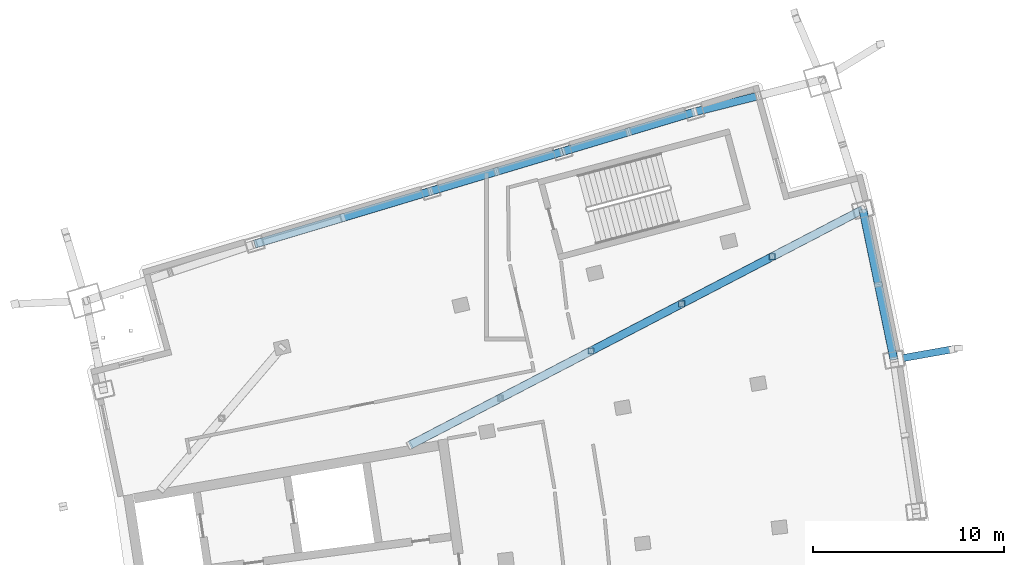
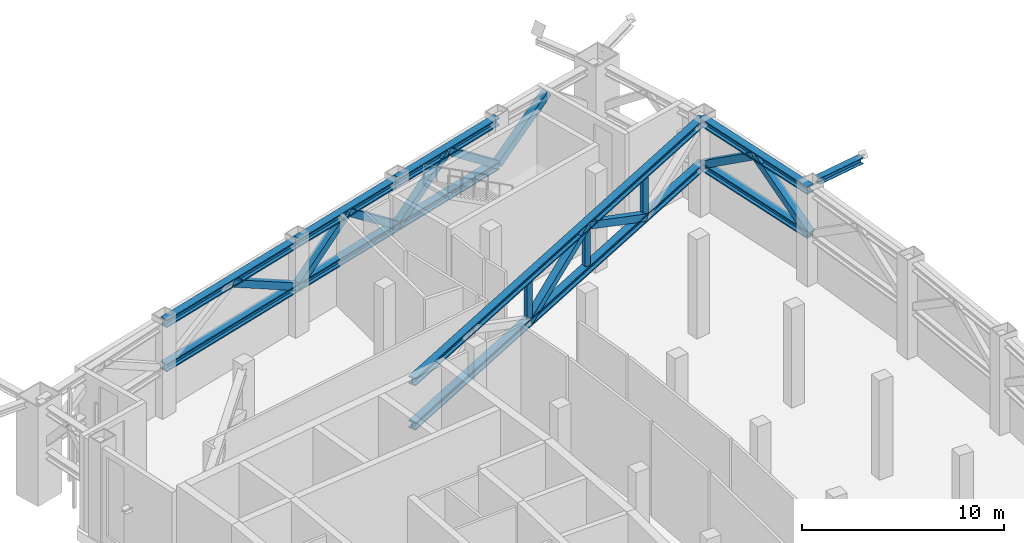
# One storey, part 12 of 23: 24 members.
"""IFC4 building model written with IfcOpenShell, lengths in metres."""

from ifc_helpers import new_model, si_unit, direction, frame, origin, origin_2d, place, context, subcontext, project, spatial, hollow_rectangle, i_section, extrude, material, material_profile, profile_set, type_object, element, save


model = new_model("IFC4")

# Units and contexts
model_context = context("Model", 3, precision=1e-05, world=origin(), true_north=direction((0.0, 1.0)))
body_context = subcontext(model_context, "Body", "Model", "MODEL_VIEW")
ifc_project = project(units=[si_unit("LENGTHUNIT", "METRE"), si_unit("AREAUNIT", "SQUARE_METRE"), si_unit("VOLUMEUNIT", "CUBIC_METRE"), si_unit("PLANEANGLEUNIT", "RADIAN"), si_unit("MASSUNIT", "GRAM", prefix="KILO")], contexts=[model_context])

# Site, building, storey
site_placement = place(None, origin())
site = spatial("IfcSite", under=ifc_project, at=site_placement, CompositionType="ELEMENT")
building_placement = place(site_placement, origin())
building = spatial("IfcBuilding", under=site, at=building_placement, Name="Alderwake Tower", CompositionType="ELEMENT")
storey_placement = place(building_placement, frame((0.0, 0.0, 239.60009765625)))
storey = spatial("IfcBuildingStorey", under=building, at=storey_placement, Name="L59", CompositionType="ELEMENT", Elevation=239.60009765625)

# Members
ifc_material_1 = material(Name="Steel ASTM A992 Grade 50", Category="steel")
ifc_material_profile_1 = material_profile(ifc_material_1, i_section(OverallWidth=0.42138671875, OverallDepth=0.464599609375, WebThickness=0.044921875, FlangeThickness=0.072265625, at=origin_2d()), Name="W14X398")
ifc_profile_set_1 = profile_set([ifc_material_profile_1], Name="Steel ASTM A992 Grade 50")
member_type_1 = type_object("IfcMemberType", Name="Belt truss chord W14X398", PredefinedType="CHORD", material=ifc_profile_set_1)
for number, where, z_axis, x_axis, name in (
    (1, (55.301513671875, 84.922607421875, 5.447509765625), (-0.202772826748, 0.979225806815, 0.0), (-0.979225806815, -0.202772826748, 0.0), "Belt truss chord BT59F10.T"),
    (2, (55.301513671875, 84.922607421875, 2.7822265625), (-0.202772826748, 0.979225806815, 0.0), (-0.979225806815, -0.202772826748, 0.0), "Belt truss chord BT59F10.B"),
):
    element("IfcMember", number, at=place(storey_placement, frame(where, z_axis=z_axis, x_axis=x_axis)), inside=storey, type_object=member_type_1, Name=name, PredefinedType="CHORD", context=body_context, shape_type="SweptSolid", body=[
        extrude(i_section(OverallWidth=0.42138671875, OverallDepth=0.464599609375, WebThickness=0.044921875, FlangeThickness=0.072265625, at=origin_2d()), origin(), (0.0, 0.0, 1.0), 8.013916015625),
    ])
for number, where, z_axis, x_axis, name in (
    (3, (21.885498046875, 90.96240234375, 5.447509765625), (0.957760467652, 0.287567186241, 0.0), (-0.287567186241, 0.957760467652, 0.0), "Belt truss chord BT59E121.T"),
    (4, (21.885498046875, 90.96240234375, 2.7822265625), (0.957760467652, 0.287567186241, 0.0), (-0.287567186241, 0.957760467652, 0.0), "Belt truss chord BT59E121.B"),
):
    element("IfcMember", number, at=place(storey_placement, frame(where, z_axis=z_axis, x_axis=x_axis)), inside=storey, type_object=member_type_1, Name=name, PredefinedType="CHORD", context=body_context, shape_type="SweptSolid", body=[
        extrude(i_section(OverallWidth=0.42138671875, OverallDepth=0.464599609375, WebThickness=0.044921875, FlangeThickness=0.072265625, at=origin_2d()), origin(), (0.0, 0.0, 1.0), 9.600341796875),
    ])
for number, where, z_axis, x_axis, name in (
    (5, (31.080322265625, 93.72314453125, 5.447509765625), (0.957768404261, 0.287540751545, 0.0), (-0.287540751545, 0.957768404261, 0.0), "Belt truss chord BT59E122.T"),
    (6, (31.080322265625, 93.72314453125, 2.7822265625), (0.957768404261, 0.287540751545, 0.0), (-0.287540751545, 0.957768404261, 0.0), "Belt truss chord BT59E122.B"),
    (7, (37.976318359375, 95.79345703125, 5.447509765625), (0.957768404261, 0.287540751545, 0.0), (-0.287540751545, 0.957768404261, 0.0), "Belt truss chord BT59E123.T"),
    (8, (37.976318359375, 95.79345703125, 2.7822265625), (0.957768404261, 0.287540751545, 0.0), (-0.287540751545, 0.957768404261, 0.0), "Belt truss chord BT59E123.B"),
):
    element("IfcMember", number, at=place(storey_placement, frame(where, z_axis=z_axis, x_axis=x_axis)), inside=storey, type_object=member_type_1, Name=name, PredefinedType="CHORD", context=body_context, shape_type="SweptSolid", body=[
        extrude(i_section(OverallWidth=0.42138671875, OverallDepth=0.464599609375, WebThickness=0.044921875, FlangeThickness=0.072265625, at=origin_2d()), origin(), (0.0, 0.0, 1.0), 7.199951171875),
    ])
ifc_material_2 = material(Name="Steel ASTM A500 Grade C", Category="steel")
ifc_material_profile_2 = material_profile(ifc_material_2, hollow_rectangle(XDim=0.406494140625, YDim=0.406494140625, WallThickness=0.014892578125, at=origin_2d()), Name="HSS16X16X5/8")
ifc_profile_set_2 = profile_set([ifc_material_profile_2], Name="Steel ASTM A500 Grade C")
member_type_2 = type_object("IfcMemberType", Name="Belt truss diagonal HSS16X16X5/8", PredefinedType="BRACE", material=ifc_profile_set_2)
member_1_placement = place(storey_placement, frame((55.301513671875, 84.922607421875, 2.7822265625), z_axis=(-0.168837562883, 0.815321055619, 0.553846055889), x_axis=(-0.979224554149, -0.202778876001, 0.0)))
element("IfcMember", 9, at=member_1_placement, inside=storey, type_object=member_type_2, Name="Belt truss diagonal BT59F10.D1", PredefinedType="BRACE", context=body_context, shape_type="SweptSolid", body=[
    extrude(hollow_rectangle(XDim=0.406494140625, YDim=0.406494140625, WallThickness=0.014892578125, at=origin_2d()), origin(), (0.0, 0.0, 1.0), 4.812255859375),
])
member_2_placement = place(storey_placement, frame((53.676513671875, 92.77001953125, 2.7822265625), z_axis=(0.168830579433, -0.815338062695, 0.553823147737), x_axis=(0.979227059369, 0.202766777848, 0.0)))
element("IfcMember", 10, at=member_2_placement, inside=storey, type_object=member_type_2, Name="Belt truss diagonal BT59F10.D2", PredefinedType="BRACE", context=body_context, shape_type="SweptSolid", body=[
    extrude(hollow_rectangle(XDim=0.406494140625, YDim=0.406494140625, WallThickness=0.014892578125, at=origin_2d()), origin(), (0.0, 0.0, 1.0), 4.8125),
])
member_3_placement = place(storey_placement, frame((31.080322265625, 93.72314453125, 2.7822265625), z_axis=(-0.837342663624, -0.25141179014, 0.485437303318), x_axis=(0.287567186241, -0.957760467652, 0.0)))
element("IfcMember", 11, at=member_3_placement, inside=storey, type_object=member_type_2, Name="Belt truss diagonal BT59E121.D2", PredefinedType="BRACE", context=body_context, shape_type="SweptSolid", body=[
    extrude(hollow_rectangle(XDim=0.406494140625, YDim=0.406494140625, WallThickness=0.014892578125, at=origin_2d()), origin(), (0.0, 0.0, 1.0), 5.490478515625),
])
for number, where, z_axis, x_axis, name in (
    (12, (31.080322265625, 93.72314453125, 2.7822265625), (0.769765668838, 0.231098664297, 0.595024556164), (-0.287540751545, 0.957768404261, 0.0), "Belt truss diagonal BT59E122.D1"),
    (13, (37.976318359375, 95.79345703125, 2.7822265625), (-0.769765668838, -0.231098664297, 0.595024556164), (0.287540751545, -0.957768404261, 0.0), "Belt truss diagonal BT59E122.D2"),
    (14, (37.976318359375, 95.79345703125, 2.7822265625), (0.769765668838, 0.231098664297, 0.595024556164), (-0.287540751545, 0.957768404261, 0.0), "Belt truss diagonal BT59E123.D1"),
    (15, (44.872314453125, 97.86376953125, 2.7822265625), (-0.769765668838, -0.231098664297, 0.595024556164), (0.287540751545, -0.957768404261, 0.0), "Belt truss diagonal BT59E123.D2"),
):
    element("IfcMember", number, at=place(storey_placement, frame(where, z_axis=z_axis, x_axis=x_axis)), inside=storey, type_object=member_type_2, Name=name, PredefinedType="BRACE", context=body_context, shape_type="SweptSolid", body=[
        extrude(hollow_rectangle(XDim=0.406494140625, YDim=0.406494140625, WallThickness=0.014892578125, at=origin_2d()), origin(), (0.0, 0.0, 1.0), 4.479248046875),
    ])
member_4_placement = place(storey_placement, frame((44.872314453125, 97.86376953125, 2.7822265625), z_axis=(0.767253209672, 0.194682035693, 0.611082168964), x_axis=(-0.245945061087, 0.969283770073, 0.0)))
element("IfcMember", 16, at=member_4_placement, inside=storey, type_object=member_type_2, Name="Belt truss diagonal BT59E124.D1", PredefinedType="BRACE", context=body_context, shape_type="SweptSolid", body=[
    extrude(hollow_rectangle(XDim=0.406494140625, YDim=0.406494140625, WallThickness=0.014892578125, at=origin_2d()), origin(), (0.0, 0.0, 1.0), 4.361572265625),
])
ifc_material_3 = material(Name="Steel ASTM A992 Grade 50", Category="steel")
ifc_material_profile_3 = material_profile(ifc_material_3, i_section(OverallWidth=0.3740234375, OverallDepth=0.372314453125, WebThickness=0.016357421875, FlangeThickness=0.026123046875, at=origin_2d()), Name="W14X132")
ifc_profile_set_3 = profile_set([ifc_material_profile_3], Name="Steel ASTM A992 Grade 50")
member_type_3 = type_object("IfcMemberType", Name="Brace node stub W14X132", PredefinedType="MEMBER", material=ifc_profile_set_3)
member_5_placement = place(storey_placement, frame((55.76904296875, 85.005126953125, 5.793701171875), z_axis=(0.984723052178, 0.174127856788, 0.0), x_axis=(-0.174127856788, 0.984723052178, 0.0)))
element("IfcMember", 17, at=member_5_placement, inside=storey, type_object=member_type_3, Name="Brace node stub BS.FR10-C5.2456", PredefinedType="MEMBER", context=body_context, shape_type="SweptSolid", body=[
    extrude(i_section(OverallWidth=0.3740234375, OverallDepth=0.372314453125, WebThickness=0.016357421875, FlangeThickness=0.026123046875, at=origin_2d()), origin(), (0.0, 0.0, 1.0), 2.8056640625),
])
ifc_material_4 = material(Name="Steel ASTM A992 Grade 50", Category="steel")
ifc_material_profile_4 = material_profile(ifc_material_4, i_section(OverallWidth=0.42138671875, OverallDepth=0.464599609375, WebThickness=0.044921875, FlangeThickness=0.072265625, at=origin_2d()), Name="W14X398")
ifc_profile_set_4 = profile_set([ifc_material_profile_4], Name="Steel ASTM A992 Grade 50")
member_type_4 = type_object("IfcMemberType", Name="Outrigger truss chord W14X398", PredefinedType="CHORD", material=ifc_profile_set_4)
for number, where, z_axis, x_axis, name in (
    (18, (29.993896484375, 80.447998046875, 5.447509765625), (0.887108521737, 0.461560906773, 0.0), (-0.461560906773, 0.887108521737, 0.0), "Outrigger truss chord OR59NF.T"),
    (19, (29.993896484375, 80.447998046875, 2.7822265625), (0.887108521737, 0.461560906773, 0.0), (-0.461560906773, 0.887108521737, 0.0), "Outrigger truss chord OR59NF.B"),
):
    element("IfcMember", number, at=place(storey_placement, frame(where, z_axis=z_axis, x_axis=x_axis)), inside=storey, type_object=member_type_4, Name=name, PredefinedType="CHORD", context=body_context, shape_type="SweptSolid", body=[
        extrude(i_section(OverallWidth=0.42138671875, OverallDepth=0.464599609375, WebThickness=0.044921875, FlangeThickness=0.072265625, at=origin_2d()), origin(), (0.0, 0.0, 1.0), 26.696533203125),
    ])
ifc_material_5 = material(Name="Steel ASTM A500 Grade C", Category="steel")
ifc_material_profile_5 = material_profile(ifc_material_5, hollow_rectangle(XDim=0.406494140625, YDim=0.406494140625, WallThickness=0.014892578125, at=origin_2d()), Name="HSS16X16X5/8")
ifc_profile_set_5 = profile_set([ifc_material_profile_5], Name="Steel ASTM A500 Grade C")
member_type_5 = type_object("IfcMemberType", Name="Outrigger truss diagonal HSS16X16X5/8", PredefinedType="BRACE", material=ifc_profile_set_5)
for number, where, z_axis, x_axis, name in (
    (20, (39.467041015625, 85.376708984375, 2.7822265625), (0.793718676682, 0.412957905388, 0.446627843582), (-0.461549965469, 0.887114214391, 0.0), "Outrigger truss diagonal OR59NF.D3"),
    (21, (48.940185546875, 90.305419921875, 2.7822265625), (-0.793718676682, -0.412957905388, 0.446627843582), (0.461549965469, -0.887114214391, 0.0), "Outrigger truss diagonal OR59NF.D4"),
):
    element("IfcMember", number, at=place(storey_placement, frame(where, z_axis=z_axis, x_axis=x_axis)), inside=storey, type_object=member_type_5, Name=name, PredefinedType="BRACE", context=body_context, shape_type="SweptSolid", body=[
        extrude(hollow_rectangle(XDim=0.406494140625, YDim=0.406494140625, WallThickness=0.014892578125, at=origin_2d()), origin(), (0.0, 0.0, 1.0), 5.967529296875),
    ])
ifc_material_6 = material(Name="Steel ASTM A500 Grade C", Category="steel")
ifc_material_profile_6 = material_profile(ifc_material_6, hollow_rectangle(XDim=0.3046875, YDim=0.3046875, WallThickness=0.01171875, at=origin_2d()), Name="HSS12X12X1/2")
ifc_profile_set_6 = profile_set([ifc_material_profile_6], Name="Steel ASTM A500 Grade C")
member_type_6 = type_object("IfcMemberType", Name="Outrigger truss post HSS12X12X1/2", PredefinedType="POST", material=ifc_profile_set_6)
for number, where, z_axis, x_axis, name in (
    (22, (39.467041015625, 85.376708984375, 3.014404296875), (0.0, 0.0, 1.0), (1.0, 0.0, 0.0), "Outrigger truss post OR59NF.P2"),
    (23, (44.20361328125, 87.841064453125, 3.014404296875), (0.0, 0.0, 1.0), (1.0, 0.0, 0.0), "Outrigger truss post OR59NF.P3"),
    (24, (48.940185546875, 90.305419921875, 3.014404296875), (0.0, 0.0, 1.0), (1.0, 0.0, 0.0), "Outrigger truss post OR59NF.P4"),
):
    element("IfcMember", number, at=place(storey_placement, frame(where, z_axis=z_axis, x_axis=x_axis)), inside=storey, type_object=member_type_6, Name=name, PredefinedType="POST", context=body_context, shape_type="SweptSolid", body=[
        extrude(hollow_rectangle(XDim=0.3046875, YDim=0.3046875, WallThickness=0.01171875, at=origin_2d()), origin(), (0.0, 0.0, 1.0), 2.200927734375),
    ])

save(model, "model.ifc")
